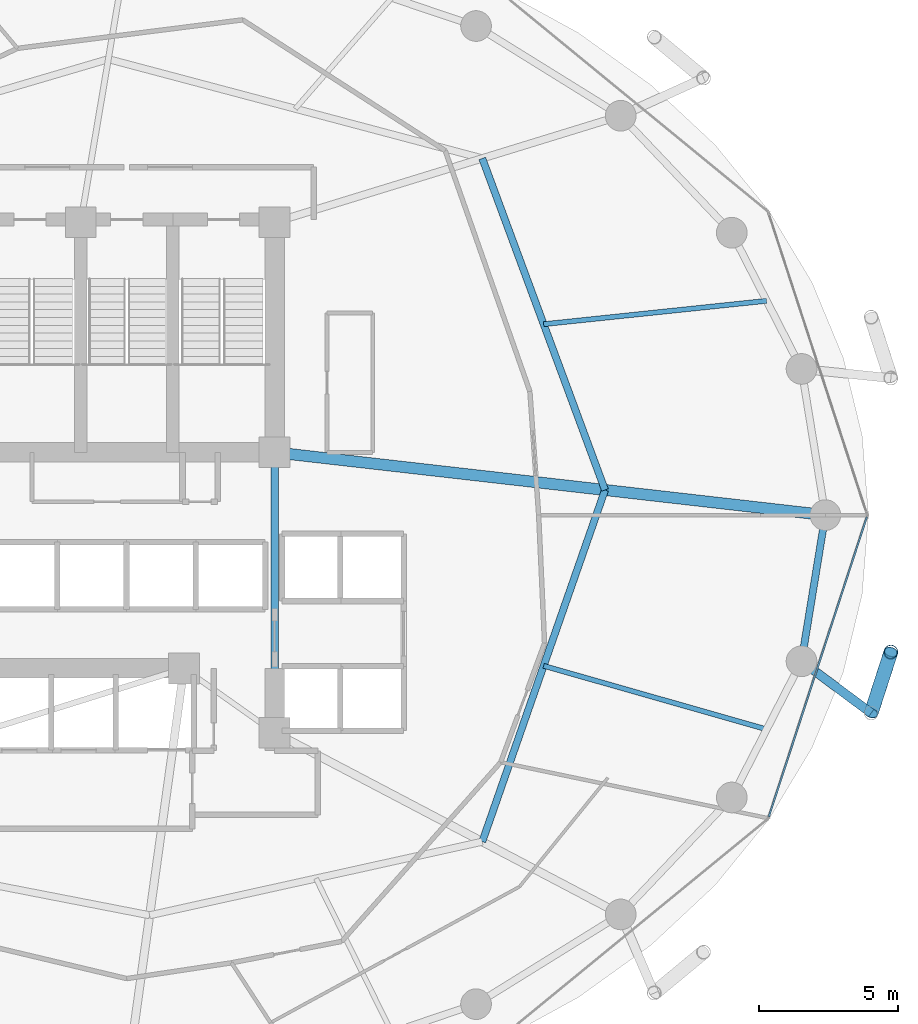
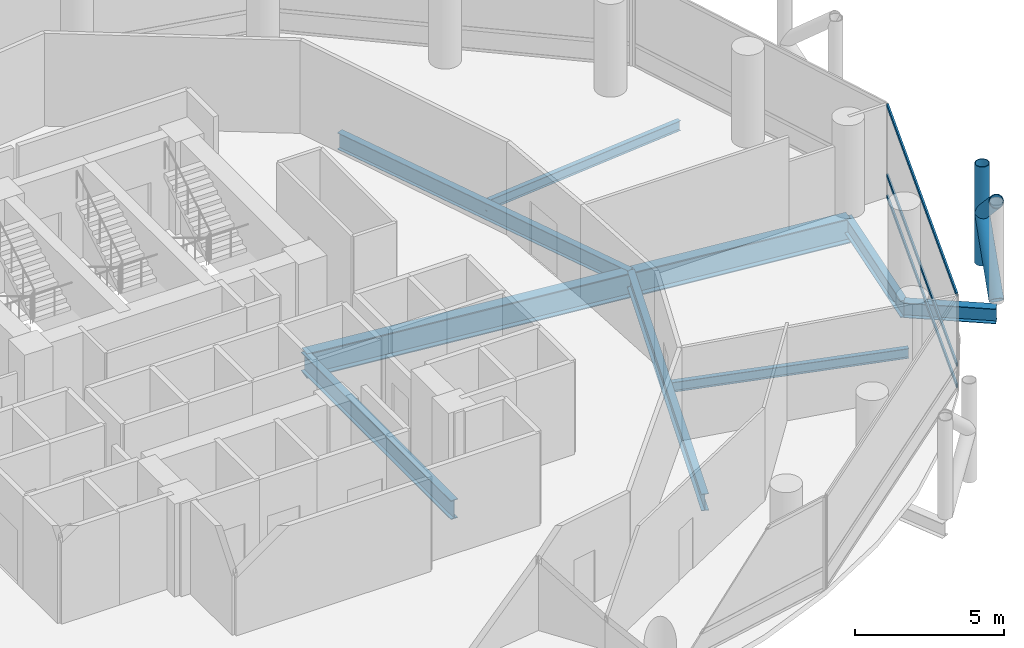
# One storey, part 11 of 24: 8 beams, 6 members, 1 element without a shape of its own.
"""IFC4 building model written with IfcOpenShell, lengths in metres."""

import ifcopenshell
import ifcopenshell.guid

model = None  # the IFC model being written
_history = None  # IfcOwnerHistory: only IFC2X3 demands one
_inside = {}  # id of a spatial element -> (the spatial element, [elements in it])
_under = {}  # id of a project, library or spatial element -> (it, [spatial elements below it])
_declared = {}  # id of a project -> (the project, [libraries it declares])
_typed = {}  # id of a type object -> (the type object, [elements of that type])
_made_of = {}  # id of a material, layer set ... -> (it, [elements and type objects made of it])


def new_model(schema):
    """Start an empty IFC model of exactly this schema.

    Asked for "IFC4X3", IfcOpenShell would pick the latest addendum, in which some entities
    have other attributes; the version numbers below select the first issue.
    IFC2X3 requires an IfcOwnerHistory on every rooted entity: one is made here for all.
    """
    global model, _history
    if schema == "IFC4X3":
        model = ifcopenshell.file(schema_version=(4, 3, 0, 0))
    else:
        model = ifcopenshell.file(schema=schema)
    _inside.clear()
    _under.clear()
    _declared.clear()
    _typed.clear()
    _made_of.clear()
    _history = None
    if model.schema == "IFC2X3":
        org = make("IfcOrganization", Name="unknown")
        user = make(
            "IfcPersonAndOrganization",
            ThePerson=make("IfcPerson", FamilyName="unknown"),
            TheOrganization=org,
        )
        app = make(
            "IfcApplication",
            ApplicationDeveloper=org,
            Version="unknown",
            ApplicationFullName="unknown",
            ApplicationIdentifier="unknown",
        )
        _history = make(
            "IfcOwnerHistory",
            OwningUser=user,
            OwningApplication=app,
            ChangeAction="ADDED",
            CreationDate=0,
        )
    return model


def make(cls, **values):
    """One entity of the class cls with the attributes given. An attribute that is None is left unset."""
    return model.create_entity(
        cls, **{name: value for name, value in values.items() if value is not None}
    )


def rooted(cls, **values):
    """An entity with a GlobalId (a new one), such as an element, a storey or a relation."""
    return make(cls, GlobalId=ifcopenshell.guid.new(), OwnerHistory=_history, **values)


def si_unit(unit_type, name, prefix=None):
    """IfcSIUnit, for example si_unit("LENGTHUNIT", "METRE", prefix="MILLI")."""
    return make("IfcSIUnit", UnitType=unit_type, Prefix=prefix, Name=name)


def assignment(units):
    """IfcUnitAssignment: the units of a project."""
    return None if units is None else make("IfcUnitAssignment", Units=units)


def point(xyz):
    """IfcCartesianPoint."""
    return None if xyz is None else make("IfcCartesianPoint", Coordinates=xyz)


def direction(xyz):
    """IfcDirection."""
    return None if xyz is None else make("IfcDirection", DirectionRatios=xyz)


def frame(location, z_axis=None, x_axis=None):
    """IfcAxis2Placement3D, a coordinate frame: its origin and axes. An axis left out is left unset."""
    return make(
        "IfcAxis2Placement3D",
        Location=point(location),
        Axis=direction(z_axis),
        RefDirection=direction(x_axis),
    )


def frame_2d(location, x_axis=None):
    """IfcAxis2Placement2D, a coordinate frame in the plane: its origin and x axis."""
    return make(
        "IfcAxis2Placement2D", Location=point(location), RefDirection=direction(x_axis)
    )


def origin():
    """The frame at (0, 0, 0) with its axes left unset."""
    return frame((0.0, 0.0, 0.0))


def origin_2d():
    """The frame at (0, 0) in the plane with its x axis left unset."""
    return frame_2d((0.0, 0.0))


def place(relative_to, where):
    """IfcLocalPlacement: puts the frame where relative to a parent placement (None: the world)."""
    return make(
        "IfcLocalPlacement", PlacementRelTo=relative_to, RelativePlacement=where
    )


def context(
    kind, dimensions, precision=None, world=None, true_north=None, identifier=None
):
    """IfcGeometricRepresentationContext, for example the 3D "Model" context."""
    return make(
        "IfcGeometricRepresentationContext",
        ContextIdentifier=identifier,
        ContextType=kind,
        CoordinateSpaceDimension=dimensions,
        Precision=precision,
        WorldCoordinateSystem=world,
        TrueNorth=true_north,
    )


def subcontext(parent, identifier, kind, view, scale=None):
    """IfcGeometricRepresentationSubContext, for example "Body" below "Model"."""
    return make(
        "IfcGeometricRepresentationSubContext",
        ContextIdentifier=identifier,
        ContextType=kind,
        ParentContext=parent,
        TargetScale=scale,
        TargetView=view,
    )


def project(units=None, contexts=None):
    """IfcProject with its units and contexts."""
    return rooted(
        "IfcProject",
        Name="project",
        RepresentationContexts=contexts,
        UnitsInContext=assignment(units),
    )


def spatial(cls, under=None, at=None, **own):
    """A site, building, storey or space (cls), placed at a placement, below another one or the project."""
    s = rooted(cls, ObjectPlacement=at, **own)
    if under is not None:
        _under.setdefault(under.id(), (under, []))[1].append(s)
    return s


def profile(cls, at=None, kind="AREA", **sizes):
    """A parametric profile (cls). Its sizes go by their IFC names, for example OverallWidth=200.0."""
    return make(cls, ProfileType=kind, Position=at, **sizes)


def hollow_rectangle(**sizes):
    """IfcRectangleHollowProfileDef."""
    return profile("IfcRectangleHollowProfileDef", **sizes)


def hollow_circle(**sizes):
    """IfcCircleHollowProfileDef."""
    return profile("IfcCircleHollowProfileDef", **sizes)


def i_section(**sizes):
    """IfcIShapeProfileDef."""
    return profile("IfcIShapeProfileDef", **sizes)


def extrude(swept, where, along, depth):
    """IfcExtrudedAreaSolid: the profile swept, set in the frame where, extruded along a direction by depth."""
    return make(
        "IfcExtrudedAreaSolid",
        SweptArea=swept,
        Position=where,
        ExtrudedDirection=direction(along),
        Depth=depth,
    )


def shape(context_of_items, identifier, shape_type, items):
    """IfcShapeRepresentation: the items that make up one representation, for example the "Body"."""
    return make(
        "IfcShapeRepresentation",
        ContextOfItems=context_of_items,
        RepresentationIdentifier=identifier,
        RepresentationType=shape_type,
        Items=items,
    )


def material(Name=None, Category=None):
    """IfcMaterial."""
    return make("IfcMaterial", Name=Name, Category=Category)


def layer(
    of_material, thickness, ventilated=None, Name=None, Category=None, Priority=None
):
    """IfcMaterialLayer: one layer of a wall or slab, of a material (None: an air gap)."""
    return make(
        "IfcMaterialLayer",
        Material=of_material,
        LayerThickness=thickness,
        IsVentilated=ventilated,
        Name=Name,
        Category=Category,
        Priority=Priority,
    )


def layer_set(layers, Name=None):
    """IfcMaterialLayerSet."""
    return make("IfcMaterialLayerSet", MaterialLayers=layers, LayerSetName=Name)


def material_profile(
    of_material, cross_section, Name=None, Category=None, Priority=None
):
    """IfcMaterialProfile: a cross section and its material."""
    return make(
        "IfcMaterialProfile",
        Name=Name,
        Material=of_material,
        Profile=cross_section,
        Priority=Priority,
        Category=Category,
    )


def profile_set(profiles, Name=None, composite=None):
    """IfcMaterialProfileSet."""
    return make(
        "IfcMaterialProfileSet",
        Name=Name,
        MaterialProfiles=profiles,
        CompositeProfile=composite,
    )


def made_of(thing, what):
    """Note that an element or type object is made of a material, layer set ...; save() writes the relation."""
    if what is not None:
        _made_of.setdefault(what.id(), (what, []))[1].append(thing)
    return thing


def type_object(cls, material=None, **own):
    """A type object (cls), such as IfcWallType, which elements share."""
    return made_of(rooted(cls, **own), material)


def element(
    cls,
    number,
    at=None,
    inside=None,
    cuts=None,
    type_object=None,
    material=None,
    context=None,
    identifier="Body",
    shape_type=None,
    held_by="IfcProductDefinitionShape",
    body=None,
    shapes=None,
    **own,
):
    """One element of the class cls, such as IfcWall. Its Tag is "e" and its number.

    at: its placement. inside: the storey or other place that contains it. cuts: it is an
    opening in that element (IfcRelVoidsElement). A single representation is given by context,
    identifier, shape_type and body (its items); several are given by shapes. held_by: the class
    of the entity that holds the representations. save() writes the other relations.
    """
    e = rooted(cls, Tag="e%d" % number, ObjectPlacement=at, **own)
    if body is not None:
        shapes = [shape(context, identifier, shape_type, body)]
    if shapes is not None:
        e.Representation = make(held_by, Representations=shapes)
    if inside is not None:
        _inside.setdefault(inside.id(), (inside, []))[1].append(e)
    if cuts is not None:
        rooted(
            "IfcRelVoidsElement", RelatingBuildingElement=cuts, RelatedOpeningElement=e
        )
    if type_object is not None:
        _typed.setdefault(type_object.id(), (type_object, []))[1].append(e)
    return made_of(e, material)


def aggregate(whole, parts):
    """IfcRelAggregates: a whole, such as a stair, and the parts it consists of."""
    return rooted("IfcRelAggregates", RelatingObject=whole, RelatedObjects=parts)


def save(model, path):
    """Write the relations noted so far, then the file.

    IfcRelAggregates (storeys below a building ...), IfcRelContainedInSpatialStructure (elements
    in a storey), IfcRelDefinesByType, IfcRelAssociatesMaterial and IfcRelDeclares: one each for
    every whole, place, type object, material and project.
    """
    for whole, parts in _under.values():
        aggregate(whole, parts)
    for where, things in _inside.values():
        rooted(
            "IfcRelContainedInSpatialStructure",
            RelatedElements=things,
            RelatingStructure=where,
        )
    for kind, things in _typed.values():
        rooted("IfcRelDefinesByType", RelatedObjects=things, RelatingType=kind)
    for what, things in _made_of.values():
        rooted("IfcRelAssociatesMaterial", RelatedObjects=things, RelatingMaterial=what)
    for by, libraries in _declared.values():
        rooted("IfcRelDeclares", RelatingContext=by, RelatedDefinitions=libraries)
    model.write(path)


model = new_model("IFC4")

# Units and contexts
model_context = context("Model", 3, precision=1e-05, world=origin(), true_north=direction((0.0, 1.0)))
body_context = subcontext(model_context, "Body", "Model", "MODEL_VIEW")
ifc_project = project(units=[si_unit("LENGTHUNIT", "METRE"), si_unit("AREAUNIT", "SQUARE_METRE"), si_unit("VOLUMEUNIT", "CUBIC_METRE"), si_unit("PLANEANGLEUNIT", "RADIAN"), si_unit("MASSUNIT", "GRAM", prefix="KILO")], contexts=[model_context])

# Site, building, storey
site_placement = place(None, origin())
site = spatial("IfcSite", under=ifc_project, at=site_placement, CompositionType="ELEMENT")
building_placement = place(site_placement, origin())
building = spatial("IfcBuilding", under=site, at=building_placement, Name="Nuhasar Tower", CompositionType="ELEMENT")
storey_placement = place(building_placement, frame((0.0, 0.0, 89.85009765625)))
storey = spatial("IfcBuildingStorey", under=building, at=storey_placement, Name="L21", CompositionType="ELEMENT", Elevation=89.85009765625)

# Beams
ifc_material_1 = material(Name="Steel S355", Category="steel")
ifc_material_profile_1 = material_profile(ifc_material_1, i_section(OverallWidth=0.25390625, OverallDepth=0.68408203125, WebThickness=0.012451171875, FlangeThickness=0.018798828125, at=origin_2d()), Name="W27X94")
ifc_profile_set_1 = profile_set([ifc_material_profile_1], Name="Steel S355")
beam_type_1 = type_object("IfcBeamType", Name="BM-INRING-W27X94", PredefinedType="BEAM", material=ifc_profile_set_1)
beam_1_placement = place(storey_placement, frame((51.748046875, 15.089111328125, -0.592041015625), z_axis=(0.329554049858, 0.944136710558, 0.0), x_axis=(-0.944136710558, 0.329554049858, 0.0)))
element("IfcBeam", 1, at=beam_1_placement, inside=storey, type_object=beam_type_1, Name="L21 Inner Header Beam 03", PredefinedType="BEAM", context=body_context, shape_type="SweptSolid", body=[
    extrude(i_section(OverallWidth=0.25390625, OverallDepth=0.68408203125, WebThickness=0.012451171875, FlangeThickness=0.018798828125, at=origin_2d()), origin(), (0.0, 0.0, 1.0), 13.35693359375),
])
beam_2_placement = place(storey_placement, frame((56.14990234375, 27.699951171875, -0.592041015625), z_axis=(-0.34715757476, 0.937806812881, 0.0), x_axis=(-0.937806812881, -0.34715757476, 0.0)))
element("IfcBeam", 2, at=beam_2_placement, inside=storey, type_object=beam_type_1, Name="L21 Inner Header Beam 04", PredefinedType="BEAM", context=body_context, shape_type="SweptSolid", body=[
    extrude(i_section(OverallWidth=0.25390625, OverallDepth=0.68408203125, WebThickness=0.012451171875, FlangeThickness=0.018798828125, at=origin_2d()), origin(), (0.0, 0.0, 1.0), 12.6796875),
])
ifc_material_profile_2 = material_profile(ifc_material_1, i_section(OverallWidth=0.177978515625, OverallDepth=0.406005859375, WebThickness=0.0078125, FlangeThickness=0.0126953125, at=origin_2d()), Name="W16X40")
ifc_profile_set_2 = profile_set([ifc_material_profile_2], Name="Steel S355")
beam_type_2 = type_object("IfcBeamType", Name="BM-JST-W16X40", PredefinedType="JOIST", material=ifc_profile_set_2)
beam_3_placement = place(storey_placement, frame((53.948974609375, 21.39501953125, -0.453125), z_axis=(0.961730884496, -0.273995813484, 0.0), x_axis=(0.273995813484, 0.961730884496, 0.0)))
element("IfcBeam", 3, at=beam_3_placement, inside=storey, type_object=beam_type_2, Name="L21 Secondary Floor Joist 03", PredefinedType="JOIST", context=body_context, shape_type="SweptSolid", body=[
    extrude(i_section(OverallWidth=0.177978515625, OverallDepth=0.406005859375, WebThickness=0.0078125, FlangeThickness=0.0126953125, at=origin_2d()), origin(), (0.0, 0.0, 1.0), 8.314208984375),
])
beam_4_placement = place(storey_placement, frame((53.948974609375, 33.64501953125, -0.453125), z_axis=(0.994554594377, 0.104216883485, 0.0), x_axis=(-0.104216883485, 0.994554594377, 0.0)))
element("IfcBeam", 4, at=beam_4_placement, inside=storey, type_object=beam_type_2, Name="L21 Secondary Floor Joist 04", PredefinedType="JOIST", context=body_context, shape_type="SweptSolid", body=[
    extrude(i_section(OverallWidth=0.177978515625, OverallDepth=0.406005859375, WebThickness=0.0078125, FlangeThickness=0.0126953125, at=origin_2d()), origin(), (0.0, 0.0, 1.0), 8.039794921875),
])
ifc_material_profile_3 = material_profile(ifc_material_1, i_section(OverallWidth=0.26611328125, OverallDepth=0.779052734375, WebThickness=0.0166015625, FlangeThickness=0.030029296875, at=origin_2d()), Name="W30X148")
ifc_profile_set_3 = profile_set([ifc_material_profile_3], Name="Steel S355")
beam_type_3 = type_object("IfcBeamType", Name="BM-RAD-W30X148", PredefinedType="BEAM", material=ifc_profile_set_3)
beam_5_placement = place(storey_placement, frame((44.300048828125, 19.0, -0.64013671875), z_axis=(0.0, 1.0, 0.0), x_axis=(-1.0, 0.0, 0.0)))
element("IfcBeam", 5, at=beam_5_placement, inside=storey, type_object=beam_type_3, Name="L21 Core Ring Girder 3", PredefinedType="BEAM", context=body_context, shape_type="SweptSolid", body=[
    extrude(i_section(OverallWidth=0.26611328125, OverallDepth=0.779052734375, WebThickness=0.0166015625, FlangeThickness=0.030029296875, at=origin_2d()), origin(), (0.0, 0.0, 1.0), 10.050048828125),
])
ifc_material_profile_4 = material_profile(ifc_material_1, i_section(OverallWidth=0.256103515625, OverallDepth=0.693115234375, WebThickness=0.014404296875, FlangeThickness=0.023681640625, at=origin_2d()), Name="W27X114")
ifc_profile_set_4 = profile_set([ifc_material_profile_4], Name="Steel S355")
beam_type_4 = type_object("IfcBeamType", Name="BM-RING-W27X114", PredefinedType="SPANDREL", material=ifc_profile_set_4)
beam_6_placement = place(storey_placement, frame((63.196044921875, 21.55908203125, -0.59716796875), z_axis=(0.160826635486, 0.986982671235, 0.0), x_axis=(-0.986982671235, 0.160826635486, 0.0)))
element("IfcBeam", 6, at=beam_6_placement, inside=storey, type_object=beam_type_4, Name="L21 Perimeter Ring Spandrel 24", PredefinedType="SPANDREL", context=body_context, shape_type="SweptSolid", body=[
    extrude(i_section(OverallWidth=0.256103515625, OverallDepth=0.693115234375, WebThickness=0.014404296875, FlangeThickness=0.023681640625, at=origin_2d()), origin(), (0.0, 0.0, 1.0), 5.31005859375),
])
ifc_material_profile_5 = material_profile(ifc_material_1, i_section(OverallWidth=0.323974609375, OverallDepth=0.611083984375, WebThickness=0.0126953125, FlangeThickness=0.01904296875, at=origin_2d()), Name="W24X104")
ifc_profile_set_5 = profile_set([ifc_material_profile_5], Name="Steel S355")
beam_type_5 = type_object("IfcBeamType", Name="BM-TIE-W24X104", PredefinedType="BEAM", material=ifc_profile_set_5)
beam_7_placement = place(storey_placement, frame((63.196044921875, 21.55908203125, -0.55615234375), z_axis=(0.802113478067, -0.597171640572, 0.0), x_axis=(0.597171640572, 0.802113478067, 0.0)))
element("IfcBeam", 7, at=beam_7_placement, inside=storey, type_object=beam_type_5, Name="L21 Exoskeleton Node Tie Beam 12", PredefinedType="BEAM", context=body_context, shape_type="SweptSolid", body=[
    extrude(i_section(OverallWidth=0.323974609375, OverallDepth=0.611083984375, WebThickness=0.0126953125, FlangeThickness=0.01904296875, at=origin_2d()), origin(), (0.0, 0.0, 1.0), 3.111572265625),
])
ifc_material_2 = material(Name="Steel S460", Category="steel")
ifc_material_profile_6 = material_profile(ifc_material_2, i_section(OverallWidth=0.40087890625, OverallDepth=1.010009765625, WebThickness=0.023681640625, FlangeThickness=0.0419921875, at=origin_2d()), Name="W40X297")
ifc_profile_set_6 = profile_set([ifc_material_profile_6], Name="Steel S460")
beam_type_6 = type_object("IfcBeamType", Name="BM-XFER-W40X297", PredefinedType="USERDEFINED", material=ifc_profile_set_6)
beam_8_placement = place(storey_placement, frame((44.300048828125, 29.050048828125, -0.755126953125), z_axis=(0.993573147212, -0.113191877531, 0.0), x_axis=(0.113191877531, 0.993573147212, 0.0)))
element("IfcBeam", 8, at=beam_8_placement, inside=storey, type_object=beam_type_6, Name="L21 Radial Floor Girder 04", ObjectType="GIRDER", PredefinedType="USERDEFINED", context=body_context, shape_type="SweptSolid", body=[
    extrude(i_section(OverallWidth=0.40087890625, OverallDepth=1.010009765625, WebThickness=0.023681640625, FlangeThickness=0.0419921875, at=origin_2d()), origin(), (0.0, 0.0, 1.0), 19.877685546875),
])

# Curtain wall, members
ifc_material_3 = material(Name="Aluminium 6063-T6", Category="aluminium")
ifc_layer = layer(ifc_material_3, 0.199951171875)
ifc_layer_set = layer_set([ifc_layer], Name="Aluminium 6063-T6")
curtain_wall_type = type_object("IfcCurtainWallType", Name="CW-Z1-OFF", PredefinedType="NOTDEFINED", material=ifc_layer_set)
curtain_wall_placement = place(storey_placement, origin())
curtain_wall = element("IfcCurtainWall", 9, at=curtain_wall_placement, inside=storey, type_object=curtain_wall_type, Name="L21 Unitised Curtain Wall 12", PredefinedType="NOTDEFINED")
ifc_material_profile_7 = material_profile(ifc_material_3, hollow_rectangle(XDim=0.06494140625, YDim=0.14990234375, WallThickness=0.00439453125, at=origin_2d()), Name="CWT-2")
ifc_profile_set_7 = profile_set([ifc_material_profile_7], Name="Aluminium 6063-T6")
member_type_1 = type_object("IfcMemberType", Name="CW-TRN-S2", PredefinedType="USERDEFINED", material=ifc_profile_set_7)
member_1_placement = place(storey_placement, frame((62.022216796875, 15.981689453125, 0.032470703125), z_axis=(0.310818687697, 0.950469222741, 0.0), x_axis=(-0.950469222741, 0.310818687697, 0.0)))
member_1 = element("IfcMember", 10, at=member_1_placement, type_object=member_type_1, Name="CW-Z1 transom 1.1", ObjectType="TRANSOM", PredefinedType="USERDEFINED", context=body_context, shape_type="SweptSolid", body=[
    extrude(hollow_rectangle(XDim=0.06494140625, YDim=0.14990234375, WallThickness=0.00439453125, at=origin_2d()), origin(), (0.0, 0.0, 1.0), 11.317138671875),
])
member_2_placement = place(storey_placement, frame((62.022216796875, 15.981689453125, 0.89990234375), z_axis=(0.310818687697, 0.950469222741, 0.0), x_axis=(-0.950469222741, 0.310818687697, 0.0)))
member_2 = element("IfcMember", 11, at=member_2_placement, type_object=member_type_1, Name="CW-Z1 transom 1.2", ObjectType="TRANSOM", PredefinedType="USERDEFINED", context=body_context, shape_type="SweptSolid", body=[
    extrude(hollow_rectangle(XDim=0.06494140625, YDim=0.14990234375, WallThickness=0.00439453125, at=origin_2d()), origin(), (0.0, 0.0, 1.0), 11.317138671875),
])
member_3_placement = place(storey_placement, frame((62.022216796875, 15.981689453125, 3.767333984375), z_axis=(0.310818687697, 0.950469222741, 0.0), x_axis=(-0.950469222741, 0.310818687697, 0.0)))
member_3 = element("IfcMember", 12, at=member_3_placement, type_object=member_type_1, Name="CW-Z1 transom 1.3", ObjectType="TRANSOM", PredefinedType="USERDEFINED", context=body_context, shape_type="SweptSolid", body=[
    extrude(hollow_rectangle(XDim=0.06494140625, YDim=0.14990234375, WallThickness=0.00439453125, at=origin_2d()), origin(), (0.0, 0.0, 1.0), 11.317138671875),
])
aggregate(curtain_wall, [member_1, member_2, member_3])

# Members
ifc_material_profile_8 = material_profile(ifc_material_2, hollow_circle(Radius=0.25390625, WallThickness=0.025390625, at=origin_2d()), Name="HSS508X25.4")
ifc_profile_set_8 = profile_set([ifc_material_profile_8], Name="Steel S460")
member_type_2 = type_object("IfcMemberType", Name="EXO-BRONZE-508", PredefinedType="BRACE", material=ifc_profile_set_8)
member_4_placement = place(storey_placement, frame((66.39990234375, 21.889892578125, 0.0), z_axis=(0.0, 0.0, 1.0), x_axis=(1.0, 0.0, 0.0)))
element("IfcMember", 13, at=member_4_placement, inside=storey, type_object=member_type_2, Name="L21 Exoskeleton Chord Column EC-12B", PredefinedType="BRACE", context=body_context, shape_type="SweptSolid", body=[
    extrude(hollow_circle(Radius=0.25390625, WallThickness=0.025390625, at=origin_2d()), origin(), (0.0, 0.0, 1.0), 4.0498046875),
])
for number, where, z_axis, x_axis, name in (
    (14, (65.69189453125, 19.700927734375, 0.0), (0.231011836313, 0.714224870475, 0.660693851854), (-0.951468282519, 0.307746823478, 0.0), "L21 Bronze Diagrid Brace W1-12"),
    (15, (66.39990234375, 21.889892578125, 2.02490234375), (-0.231011836313, -0.714224870475, 0.660693851854), (0.951468282519, -0.307746823478, 0.0), "L21 Bronze Diagrid Brace W2-12"),
):
    element("IfcMember", number, at=place(storey_placement, frame(where, z_axis=z_axis, x_axis=x_axis)), inside=storey, type_object=member_type_2, Name=name, PredefinedType="BRACE", context=body_context, shape_type="SweptSolid", body=[
        extrude(hollow_circle(Radius=0.25390625, WallThickness=0.025390625, at=origin_2d()), origin(), (0.0, 0.0, 1.0), 3.064697265625),
    ])

save(model, "model.ifc")
